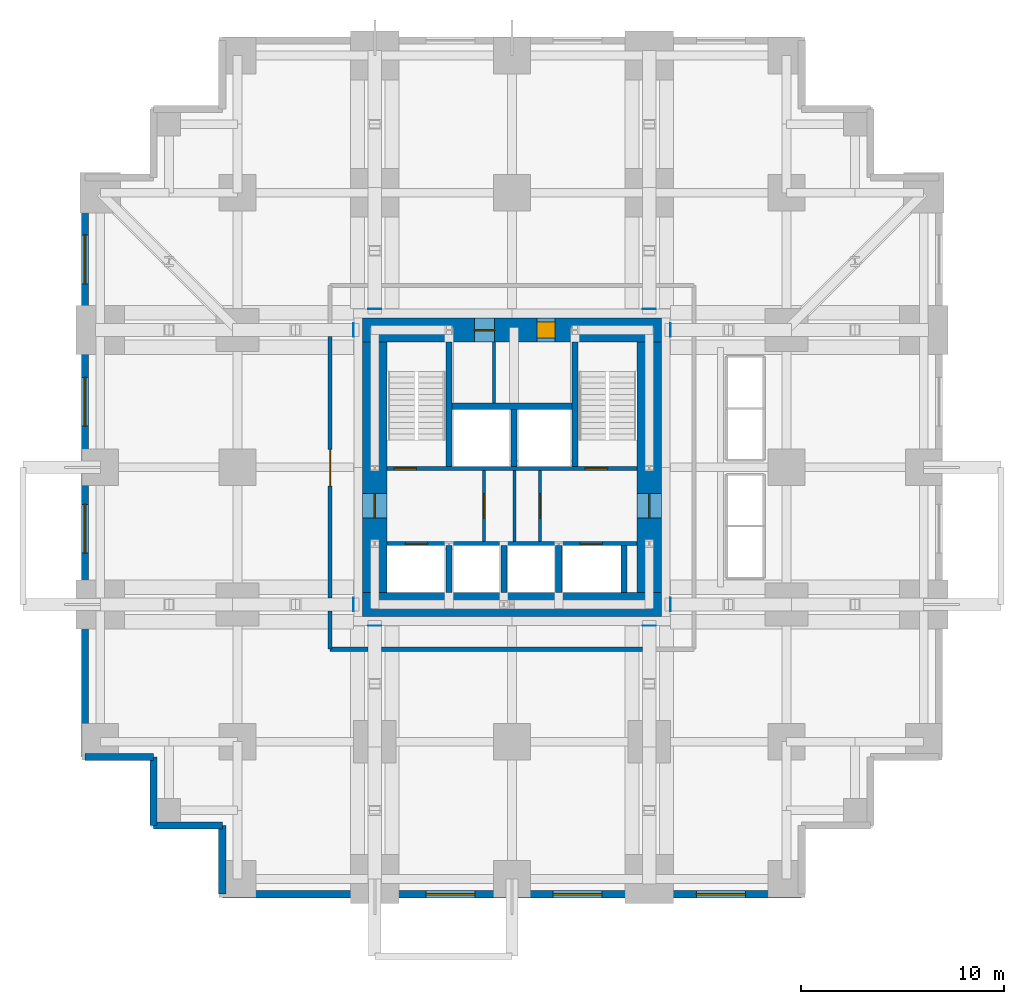
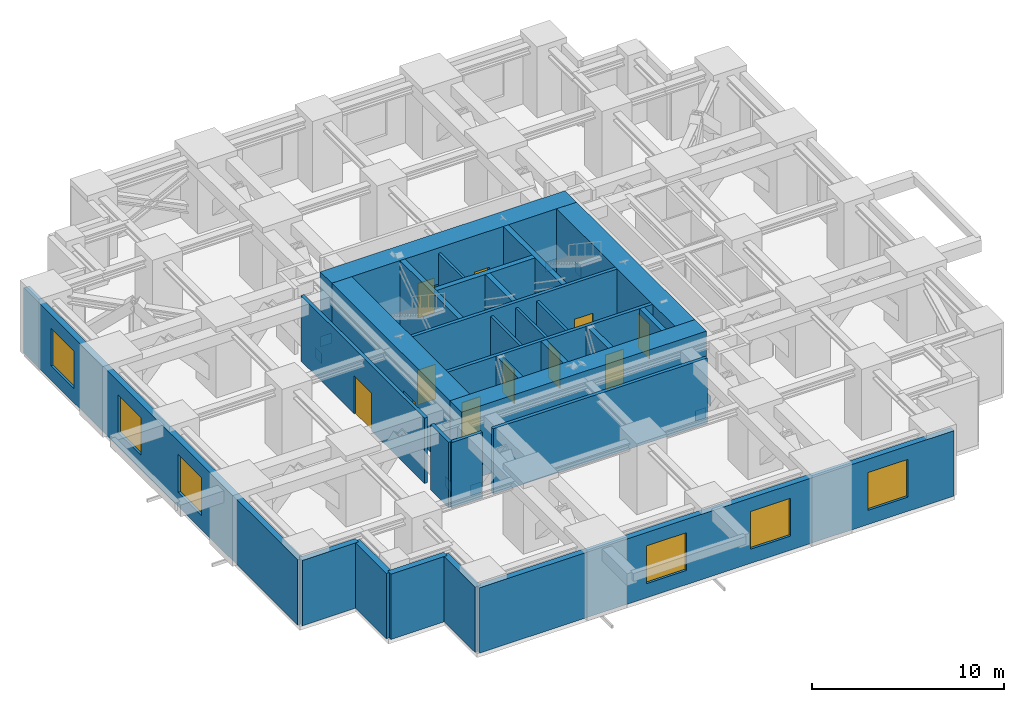
# One storey, part 4 of 6: 28 walls, 11 doors, 8 plates, 6 windows, 17 openings.
"""IFC4 building model written with IfcOpenShell, lengths in metres."""

from ifc_helpers import new_model, si_unit, direction, frame, frame_2d, origin, origin_2d, place, context, subcontext, project, spatial, rectangle, extrude, material, layer, layer_set, type_object, element, fill, save


model = new_model("IFC4")

# Units and contexts
model_context = context("Model", 3, precision=1e-05, world=origin(), true_north=direction((0.0, 1.0)))
body_context = subcontext(model_context, "Body", "Model", "MODEL_VIEW")
ifc_project = project(units=[si_unit("LENGTHUNIT", "METRE"), si_unit("AREAUNIT", "SQUARE_METRE"), si_unit("VOLUMEUNIT", "CUBIC_METRE"), si_unit("PLANEANGLEUNIT", "RADIAN"), si_unit("MASSUNIT", "GRAM", prefix="KILO")], contexts=[model_context])

# Site, building, storey
site_placement = place(None, origin())
site = spatial("IfcSite", under=ifc_project, at=site_placement, CompositionType="ELEMENT")
building_placement = place(site_placement, origin())
building = spatial("IfcBuilding", under=site, at=building_placement, Name="Nyansa Garden Tower", CompositionType="ELEMENT")
storey_placement = place(building_placement, frame((0.0, 0.0, 75.60009765625)))
storey = spatial("IfcBuildingStorey", under=building, at=storey_placement, Name="L20", CompositionType="ELEMENT", Elevation=75.60009765625)

# Plates
ifc_material_1 = material(Name="Steel S355", Category="steel")
ifc_layer_1 = layer(ifc_material_1, 0.01611328125)
ifc_layer_set_1 = layer_set([ifc_layer_1], Name="Outrigger chord end plate ECP1")
plate_type = type_object("IfcPlateType", Name="Outrigger chord end plate ECP1", PredefinedType="USERDEFINED", material=ifc_layer_set_1)
for number, where, z_axis, x_axis, name in (
    (1, (13.5, 12.4580078125, -0.625), (0.0, 0.0, 1.0), (1.0, 0.0, 0.0), "Outrigger diagonal L20 1.2b gusset end plate"),
    (2, (27.0, 12.4580078125, -0.625), (0.0, 0.0, 1.0), (1.0, 0.0, 0.0), "Outrigger diagonal L20 2.2b gusset end plate"),
    (3, (13.5, 28.0419921875, -0.625), (0.0, 0.0, 1.0), (1.0, 0.0, 0.0), "Outrigger diagonal L20 3.1a gusset end plate"),
    (4, (27.0, 28.0419921875, -0.625), (0.0, 0.0, 1.0), (1.0, 0.0, 0.0), "Outrigger diagonal L20 4.1a gusset end plate"),
):
    element("IfcPlate", number, at=place(storey_placement, frame(where, z_axis=z_axis, x_axis=x_axis)), inside=storey, type_object=plate_type, Name=name, ObjectType="END PLATE", PredefinedType="USERDEFINED", context=body_context, shape_type="SweptSolid", body=[
        extrude(rectangle(XDim=0.64990234375, YDim=0.01611328125, at=origin_2d()), origin(), (0.0, 0.0, 1.0), 0.64990234375),
    ])
for number, where, z_axis, x_axis, name in (
    (5, (12.4580078125, 13.5, -0.625), (0.0, 0.0, 1.0), (1.0, 0.0, 0.0), "Outrigger diagonal L20 5.2b gusset end plate"),
    (6, (12.4580078125, 27.0, -0.625), (0.0, 0.0, 1.0), (1.0, 0.0, 0.0), "Outrigger diagonal L20 6.2b gusset end plate"),
    (7, (28.0419921875, 13.5, -0.625), (0.0, 0.0, 1.0), (1.0, 0.0, 0.0), "Outrigger diagonal L20 7.1a gusset end plate"),
    (8, (28.0419921875, 27.0, -0.625), (0.0, 0.0, 1.0), (1.0, 0.0, 0.0), "Outrigger diagonal L20 8.1a gusset end plate"),
):
    element("IfcPlate", number, at=place(storey_placement, frame(where, z_axis=z_axis, x_axis=x_axis)), inside=storey, type_object=plate_type, Name=name, ObjectType="END PLATE", PredefinedType="USERDEFINED", context=body_context, shape_type="SweptSolid", body=[
        extrude(rectangle(XDim=0.01611328125, YDim=0.64990234375, at=origin_2d()), origin(), (0.0, 0.0, 1.0), 0.64990234375),
    ])

# Wall, openings, doors
ifc_material_2 = material(Name="Concrete C70/85", Category="concrete")
ifc_layer_2 = layer(ifc_material_2, 0.199951171875)
ifc_layer_set_2 = layer_set([ifc_layer_2], Name="Core inner wall CI200")
wall_type_1 = type_object("IfcWallType", Name="Core inner wall CI200", PredefinedType="SHEAR", material=ifc_layer_set_2)
wall_1_placement = place(storey_placement, frame((14.10009765625, 16.5, 0.0), z_axis=(0.0, 0.0, 1.0), x_axis=(1.0, 0.0, 0.0)))
wall_1 = element("IfcWall", 9, at=wall_1_placement, inside=storey, type_object=wall_type_1, Name="Core inner wall L20", PredefinedType="SHEAR", context=body_context, shape_type="SweptSolid", body=[
    extrude(rectangle(XDim=12.2998046875, YDim=0.199951171875, at=frame_2d((6.14990234375, 0.0))), origin(), (0.0, 0.0, 1.0), 4.5),
])
opening_1_placement = place(wall_1_placement, frame((0.89990234375, 0.0, 0.0)))
opening_1 = element("IfcOpeningElement", 10, at=opening_1_placement, cuts=wall_1, Name="Opening LD-F", PredefinedType="OPENING", context=body_context, shape_type="SweptSolid", body=[
    extrude(rectangle(XDim=1.10009765625, YDim=2.199951171875, at=frame_2d((0.550048828125, 1.10009765625))), frame((0.0, 0.10986328125, 0.0), z_axis=(0.0, -1.0, 0.0), x_axis=(1.0, 0.0, 0.0)), (0.0, 0.0, 1.0), 0.219970703125),
])
opening_2_placement = place(wall_1_placement, frame((9.5, 0.0, 0.0)))
opening_2 = element("IfcOpeningElement", 11, at=opening_2_placement, cuts=wall_1, Name="Opening LD-F", PredefinedType="OPENING", context=body_context, shape_type="SweptSolid", body=[
    extrude(rectangle(XDim=1.10009765625, YDim=2.199951171875, at=frame_2d((0.550048828125, 1.10009765625))), frame((0.0, 0.10986328125, 0.0), z_axis=(0.0, -1.0, 0.0), x_axis=(1.0, 0.0, 0.0)), (0.0, 0.0, 1.0), 0.219970703125),
])
ifc_material_3 = material(Name="Stainless steel centre-opening landing door of the firefighting lift, EN 81-72, E 120", Category="steel")
door_type_1 = type_object("IfcDoorType", Name="Lift landing door LD-F 1100x2200", OperationType="DOUBLE_DOOR_SLIDING", PredefinedType="DOOR", material=ifc_material_3)
door_1_placement = place(opening_1_placement, origin())
door_1 = element("IfcDoor", 12, at=door_1_placement, inside=storey, type_object=door_type_1, Name="Landing door FF1", OperationType="DOUBLE_DOOR_SLIDING", OverallHeight=2.199951171875, OverallWidth=1.10009765625, PredefinedType="DOOR", context=body_context, shape_type="SweptSolid", body=[
    extrude(rectangle(XDim=1.10009765625, YDim=2.199951171875, at=frame_2d((0.550048828125, 1.10009765625))), frame((0.0, 0.02490234375, 0.0), z_axis=(0.0, -1.0, 0.0), x_axis=(1.0, 0.0, 0.0)), (0.0, 0.0, 1.0), 0.050048828125),
])
fill(opening_1, door_1)
door_2_placement = place(opening_2_placement, origin())
door_2 = element("IfcDoor", 13, at=door_2_placement, inside=storey, type_object=door_type_1, Name="Landing door FF2", OperationType="DOUBLE_DOOR_SLIDING", OverallHeight=2.199951171875, OverallWidth=1.10009765625, PredefinedType="DOOR", context=body_context, shape_type="SweptSolid", body=[
    extrude(rectangle(XDim=1.10009765625, YDim=2.199951171875, at=frame_2d((0.550048828125, 1.10009765625))), frame((0.0, 0.02490234375, 0.0), z_axis=(0.0, -1.0, 0.0), x_axis=(1.0, 0.0, 0.0)), (0.0, 0.0, 1.0), 0.050048828125),
])
fill(opening_2, door_2)

wall_2_placement = place(storey_placement, frame((14.10009765625, 20.199951171875, 0.0), z_axis=(0.0, 0.0, 1.0), x_axis=(1.0, 0.0, 0.0)))
wall_2 = element("IfcWall", 14, at=wall_2_placement, inside=storey, type_object=wall_type_1, Name="Core inner wall L20", PredefinedType="SHEAR", context=body_context, shape_type="SweptSolid", body=[
    extrude(rectangle(XDim=12.2998046875, YDim=0.199951171875, at=frame_2d((6.14990234375, 0.0))), origin(), (0.0, 0.0, 1.0), 4.5),
])
opening_3_placement = place(wall_2_placement, frame((0.35009765625, 0.0, 0.0)))
opening_3 = element("IfcOpeningElement", 15, at=opening_3_placement, cuts=wall_2, Name="Opening D05", PredefinedType="OPENING", context=body_context, shape_type="SweptSolid", body=[
    extrude(rectangle(XDim=1.10009765625, YDim=2.199951171875, at=frame_2d((0.550048828125, 1.10009765625))), frame((0.0, 0.10986328125, 0.0), z_axis=(0.0, -1.0, 0.0), x_axis=(1.0, 0.0, 0.0)), (0.0, 0.0, 1.0), 0.219970703125),
])
opening_4_placement = place(wall_2_placement, frame((9.75, 0.0, 0.0)))
opening_4 = element("IfcOpeningElement", 16, at=opening_4_placement, cuts=wall_2, Name="Opening D05", PredefinedType="OPENING", context=body_context, shape_type="SweptSolid", body=[
    extrude(rectangle(XDim=1.10009765625, YDim=2.199951171875, at=frame_2d((0.550048828125, 1.10009765625))), frame((0.0, 0.10986328125, 0.0), z_axis=(0.0, -1.0, 0.0), x_axis=(1.0, 0.0, 0.0)), (0.0, 0.0, 1.0), 0.219970703125),
])
ifc_material_4 = material(Name="Steel door, 120 minute fire resisting", Category="steel")
door_type_2 = type_object("IfcDoorType", Name="Stair door D05 1100x2200", OperationType="SINGLE_SWING_LEFT", PredefinedType="DOOR", material=ifc_material_4)
door_3_placement = place(opening_3_placement, origin())
door_3 = element("IfcDoor", 17, at=door_3_placement, inside=storey, type_object=door_type_2, Name="Stair S1 door", OperationType="SINGLE_SWING_LEFT", OverallHeight=2.199951171875, OverallWidth=1.10009765625, PredefinedType="DOOR", context=body_context, shape_type="SweptSolid", body=[
    extrude(rectangle(XDim=1.10009765625, YDim=2.199951171875, at=frame_2d((0.550048828125, 1.10009765625))), frame((0.0, 0.02490234375, 0.0), z_axis=(0.0, -1.0, 0.0), x_axis=(1.0, 0.0, 0.0)), (0.0, 0.0, 1.0), 0.050048828125),
])
fill(opening_3, door_3)
door_4_placement = place(opening_4_placement, origin())
door_4 = element("IfcDoor", 18, at=door_4_placement, inside=storey, type_object=door_type_2, Name="Stair S2 door", OperationType="SINGLE_SWING_LEFT", OverallHeight=2.199951171875, OverallWidth=1.10009765625, PredefinedType="DOOR", context=body_context, shape_type="SweptSolid", body=[
    extrude(rectangle(XDim=1.10009765625, YDim=2.199951171875, at=frame_2d((0.550048828125, 1.10009765625))), frame((0.0, 0.02490234375, 0.0), z_axis=(0.0, -1.0, 0.0), x_axis=(1.0, 0.0, 0.0)), (0.0, 0.0, 1.0), 0.050048828125),
])
fill(opening_4, door_4)

# Walls
ifc_material_5 = material(Name="Concrete C70/85", Category="concrete")
ifc_layer_3 = layer(ifc_material_5, 0.300048828125)
ifc_layer_set_3 = layer_set([ifc_layer_3], Name="Core inner wall CI300")
wall_type_2 = type_object("IfcWallType", Name="Core inner wall CI300", PredefinedType="SHEAR", material=ifc_layer_set_3)
for number, where, z_axis, x_axis, name in (
    (19, (17.14990234375, 20.300048828125, 0.0), (0.0, 0.0, 1.0), (0.0, 1.0, 0.0), "Core inner wall L20"),
    (20, (23.35009765625, 20.300048828125, 0.0), (0.0, 0.0, 1.0), (0.0, 1.0, 0.0), "Core inner wall L20"),
):
    element("IfcWall", number, at=place(storey_placement, frame(where, z_axis=z_axis, x_axis=x_axis)), inside=storey, type_object=wall_type_2, Name=name, PredefinedType="SHEAR", context=body_context, shape_type="SweptSolid", body=[
        extrude(rectangle(XDim=6.099853515625, YDim=0.300048828125, at=frame_2d((3.0498046875, 0.0))), origin(), (0.0, 0.0, 1.0), 4.5),
    ])
wall_3_placement = place(storey_placement, frame((20.35009765625, 20.300048828125, 0.0), z_axis=(0.0, 0.0, 1.0), x_axis=(0.0, 1.0, 0.0)))
element("IfcWall", 21, at=wall_3_placement, inside=storey, type_object=wall_type_2, Name="Core inner wall L20", PredefinedType="SHEAR", context=body_context, shape_type="SweptSolid", body=[
    extrude(rectangle(XDim=2.800048828125, YDim=0.300048828125, at=frame_2d((1.39990234375, 0.0))), origin(), (0.0, 0.0, 1.0), 4.5),
])
wall_4_placement = place(storey_placement, frame((17.300048828125, 23.25, 0.0), z_axis=(0.0, 0.0, 1.0), x_axis=(1.0, 0.0, 0.0)))
element("IfcWall", 22, at=wall_4_placement, inside=storey, type_object=wall_type_2, Name="Core inner wall L20", PredefinedType="SHEAR", context=body_context, shape_type="SweptSolid", body=[
    extrude(rectangle(XDim=5.89990234375, YDim=0.300048828125, at=frame_2d((2.949951171875, 0.0))), origin(), (0.0, 0.0, 1.0), 4.5),
])
for number, where, z_axis, x_axis, name in (
    (23, (17.14990234375, 14.10009765625, 0.0), (0.0, 0.0, 1.0), (0.0, 1.0, 0.0), "Core inner wall L20"),
    (24, (19.85009765625, 14.10009765625, 0.0), (0.0, 0.0, 1.0), (0.0, 1.0, 0.0), "Core inner wall L20"),
    (25, (22.550048828125, 14.10009765625, 0.0), (0.0, 0.0, 1.0), (0.0, 1.0, 0.0), "Core inner wall L20"),
    (26, (25.75, 14.10009765625, 0.0), (0.0, 0.0, 1.0), (0.0, 1.0, 0.0), "Core inner wall L20"),
):
    element("IfcWall", number, at=place(storey_placement, frame(where, z_axis=z_axis, x_axis=x_axis)), inside=storey, type_object=wall_type_2, Name=name, PredefinedType="SHEAR", context=body_context, shape_type="SweptSolid", body=[
        extrude(rectangle(XDim=2.2998046875, YDim=0.300048828125, at=frame_2d((1.14990234375, 0.0))), origin(), (0.0, 0.0, 1.0), 4.5),
    ])
ifc_material_6 = material(Name="Concrete C80/95", Category="concrete")
ifc_layer_4 = layer(ifc_material_6, 1.199951171875)
ifc_layer_set_4 = layer_set([ifc_layer_4], Name="Core wall CW1200")
wall_type_3 = type_object("IfcWallType", Name="Core wall CW1200", PredefinedType="SHEAR", material=ifc_layer_set_4)
wall_5_placement = place(storey_placement, frame((12.89990234375, 13.5, 0.0), z_axis=(0.0, 0.0, 1.0), x_axis=(1.0, 0.0, 0.0)))
element("IfcWall", 27, at=wall_5_placement, inside=storey, type_object=wall_type_3, Name="Core wall S L20", PredefinedType="SHEAR", context=body_context, shape_type="SweptSolid", body=[
    extrude(rectangle(XDim=14.7001953125, YDim=1.199951171875, at=frame_2d((7.35009765625, 0.0))), origin(), (0.0, 0.0, 1.0), 4.5),
])

# Wall, opening, door
wall_6_placement = place(storey_placement, frame((27.0, 14.10009765625, 0.0), z_axis=(0.0, 0.0, 1.0), x_axis=(0.0, 1.0, 0.0)))
wall_6 = element("IfcWall", 28, at=wall_6_placement, inside=storey, type_object=wall_type_3, Name="Core wall E L20", PredefinedType="SHEAR", context=body_context, shape_type="SweptSolid", body=[
    extrude(rectangle(XDim=12.2998046875, YDim=1.199951171875, at=frame_2d((6.14990234375, 0.0))), origin(), (0.0, 0.0, 1.0), 4.5),
])
opening_5_placement = place(wall_6_placement, frame((3.64990234375, 0.0, 0.0)))
opening_5 = element("IfcOpeningElement", 29, at=opening_5_placement, cuts=wall_6, Name="Opening D06", PredefinedType="OPENING", context=body_context, shape_type="SweptSolid", body=[
    extrude(rectangle(XDim=1.199951171875, YDim=2.199951171875, at=frame_2d((0.60009765625, 1.10009765625))), frame((0.0, 0.60986328125, 0.0), z_axis=(0.0, -1.0, 0.0), x_axis=(1.0, 0.0, 0.0)), (0.0, 0.0, 1.0), 1.219970703125),
])
ifc_material_7 = material(Name="Steel door, 120 minute fire resisting", Category="steel")
door_type_3 = type_object("IfcDoorType", Name="Lobby door D06 1200x2200", OperationType="DOUBLE_DOOR_SINGLE_SWING", PredefinedType="DOOR", material=ifc_material_7)
door_5_placement = place(opening_5_placement, origin())
door_5 = element("IfcDoor", 30, at=door_5_placement, inside=storey, type_object=door_type_3, Name="Lift lobby door east", OperationType="DOUBLE_DOOR_SINGLE_SWING", OverallHeight=2.199951171875, OverallWidth=1.199951171875, PredefinedType="DOOR", context=body_context, shape_type="SweptSolid", body=[
    extrude(rectangle(XDim=1.199951171875, YDim=2.199951171875, at=frame_2d((0.60009765625, 1.10009765625))), frame((0.0, 0.02490234375, 0.0), z_axis=(0.0, -1.0, 0.0), x_axis=(1.0, 0.0, 0.0)), (0.0, 0.0, 1.0), 0.050048828125),
])
fill(opening_5, door_5)

# Wall, openings, doors
wall_7_placement = place(storey_placement, frame((27.60009765625, 27.0, 0.0), z_axis=(0.0, 0.0, 1.0), x_axis=(-1.0, 0.0, 0.0)))
wall_7 = element("IfcWall", 31, at=wall_7_placement, inside=storey, type_object=wall_type_3, Name="Core wall N L20", PredefinedType="SHEAR", context=body_context, shape_type="SweptSolid", body=[
    extrude(rectangle(XDim=14.7001953125, YDim=1.199951171875, at=frame_2d((7.35009765625, 0.0))), origin(), (0.0, 0.0, 1.0), 4.5),
])
opening_6_placement = place(wall_7_placement, frame((5.22509765625, 0.0, 0.0)))
opening_6 = element("IfcOpeningElement", 32, at=opening_6_placement, cuts=wall_7, Name="Opening D15", PredefinedType="OPENING", context=body_context, shape_type="SweptSolid", body=[
    extrude(rectangle(XDim=0.89990234375, YDim=2.199951171875, at=frame_2d((0.449951171875, 1.10009765625))), frame((0.0, 0.60986328125, 0.0), z_axis=(0.0, -1.0, 0.0), x_axis=(1.0, 0.0, 0.0)), (0.0, 0.0, 1.0), 1.219970703125),
])
opening_7_placement = place(wall_7_placement, frame((8.199951171875, 0.0, 0.0)))
opening_7 = element("IfcOpeningElement", 33, at=opening_7_placement, cuts=wall_7, Name="Opening D07", PredefinedType="OPENING", context=body_context, shape_type="SweptSolid", body=[
    extrude(rectangle(XDim=1.0, YDim=2.199951171875, at=frame_2d((0.5, 1.10009765625))), frame((0.0, 0.60986328125, 0.0), z_axis=(0.0, -1.0, 0.0), x_axis=(1.0, 0.0, 0.0)), (0.0, 0.0, 1.0), 1.219970703125),
])
ifc_material_8 = material(Name="Timber flush door, 60 minute fire resisting, self-closing", Category="wood")
door_type_4 = type_object("IfcDoorType", Name="Core room door D15 900x2200", OperationType="SINGLE_SWING_LEFT", PredefinedType="DOOR", material=ifc_material_8)
door_6_placement = place(opening_6_placement, origin())
door_6 = element("IfcDoor", 34, at=door_6_placement, inside=storey, type_object=door_type_4, Name="Core room door", OperationType="SINGLE_SWING_LEFT", OverallHeight=2.199951171875, OverallWidth=0.89990234375, PredefinedType="DOOR", context=body_context, shape_type="SweptSolid", body=[
    extrude(rectangle(XDim=0.89990234375, YDim=2.199951171875, at=frame_2d((0.449951171875, 1.10009765625))), frame((0.0, 0.39990234375, 0.0), z_axis=(0.0, -1.0, 0.0), x_axis=(1.0, 0.0, 0.0)), (0.0, 0.0, 1.0), 0.800048828125),
])
fill(opening_6, door_6)
ifc_material_9 = material(Name="Steel door, 120 minute fire resisting", Category="steel")
door_type_5 = type_object("IfcDoorType", Name="Riser door D07 1000x2200", OperationType="SINGLE_SWING_LEFT", PredefinedType="DOOR", material=ifc_material_9)
door_7_placement = place(opening_7_placement, origin())
door_7 = element("IfcDoor", 35, at=door_7_placement, inside=storey, type_object=door_type_5, Name="Riser and refuse room door", OperationType="SINGLE_SWING_LEFT", OverallHeight=2.199951171875, OverallWidth=1.0, PredefinedType="DOOR", context=body_context, shape_type="SweptSolid", body=[
    extrude(rectangle(XDim=1.0, YDim=2.199951171875, at=frame_2d((0.5, 1.10009765625))), frame((0.0, 0.02490234375, 0.0), z_axis=(0.0, -1.0, 0.0), x_axis=(1.0, 0.0, 0.0)), (0.0, 0.0, 1.0), 0.050048828125),
])
fill(opening_7, door_7)

# Wall, opening, door
wall_8_placement = place(storey_placement, frame((13.5, 26.39990234375, 0.0), z_axis=(0.0, 0.0, 1.0), x_axis=(0.0, -1.0, 0.0)))
wall_8 = element("IfcWall", 36, at=wall_8_placement, inside=storey, type_object=wall_type_3, Name="Core wall W L20", PredefinedType="SHEAR", context=body_context, shape_type="SweptSolid", body=[
    extrude(rectangle(XDim=12.2998046875, YDim=1.199951171875, at=frame_2d((6.14990234375, 0.0))), origin(), (0.0, 0.0, 1.0), 4.5),
])
opening_8_placement = place(wall_8_placement, frame((7.449951171875, 0.0, 0.0)))
opening_8 = element("IfcOpeningElement", 37, at=opening_8_placement, cuts=wall_8, Name="Opening D06", PredefinedType="OPENING", context=body_context, shape_type="SweptSolid", body=[
    extrude(rectangle(XDim=1.199951171875, YDim=2.199951171875, at=frame_2d((0.60009765625, 1.10009765625))), frame((0.0, 0.60986328125, 0.0), z_axis=(0.0, -1.0, 0.0), x_axis=(1.0, 0.0, 0.0)), (0.0, 0.0, 1.0), 1.219970703125),
])
door_8_placement = place(opening_8_placement, origin())
door_8 = element("IfcDoor", 38, at=door_8_placement, inside=storey, type_object=door_type_3, Name="Lift lobby door west", OperationType="DOUBLE_DOOR_SINGLE_SWING", OverallHeight=2.199951171875, OverallWidth=1.199951171875, PredefinedType="DOOR", context=body_context, shape_type="SweptSolid", body=[
    extrude(rectangle(XDim=1.199951171875, YDim=2.199951171875, at=frame_2d((0.60009765625, 1.10009765625))), frame((0.0, 0.02490234375, 0.0), z_axis=(0.0, -1.0, 0.0), x_axis=(1.0, 0.0, 0.0)), (0.0, 0.0, 1.0), 0.050048828125),
])
fill(opening_8, door_8)

# Walls
ifc_material_10 = material(Name="Concrete blockwork, plastered, 60 minute fire resisting", Category="masonry")
ifc_layer_5 = layer(ifc_material_10, 0.199951171875)
ifc_layer_set_5 = layer_set([ifc_layer_5], Name="Corridor wall FW200")
wall_type_4 = type_object("IfcWallType", Name="Corridor wall FW200", PredefinedType="PARTITIONING", material=ifc_layer_set_5)
for number, where, z_axis, x_axis, name in (
    (39, (11.300048828125, 11.300048828125, 0.0), (0.0, 0.0, 1.0), (0.0, 1.0, 0.0), "Corridor wall"),
    (40, (11.300048828125, 11.300048828125, 0.0), (0.0, 0.0, 1.0), (1.0, 0.0, 0.0), "Corridor wall"),
):
    element("IfcWall", number, at=place(storey_placement, frame(where, z_axis=z_axis, x_axis=x_axis)), inside=storey, type_object=wall_type_4, Name=name, PredefinedType="PARTITIONING", context=body_context, shape_type="SweptSolid", body=[
        extrude(rectangle(XDim=1.875, YDim=0.199951171875, at=frame_2d((0.9375, 0.0))), origin(), (0.0, 0.0, 1.0), 4.14990234375),
    ])

# Wall, opening, door
wall_9_placement = place(storey_placement, frame((11.300048828125, 13.824951171875, 0.0), z_axis=(0.0, 0.0, 1.0), x_axis=(0.0, 1.0, 0.0)))
wall_9 = element("IfcWall", 41, at=wall_9_placement, inside=storey, type_object=wall_type_4, Name="Corridor wall", PredefinedType="PARTITIONING", context=body_context, shape_type="SweptSolid", body=[
    extrude(rectangle(XDim=12.85009765625, YDim=0.199951171875, at=frame_2d((6.425048828125, 0.0))), origin(), (0.0, 0.0, 1.0), 4.14990234375),
])
opening_9_placement = place(wall_9_placement, frame((5.5, 0.0, 0.0)))
opening_9 = element("IfcOpeningElement", 42, at=opening_9_placement, cuts=wall_9, Name="Opening D09", PredefinedType="OPENING", context=body_context, shape_type="SweptSolid", body=[
    extrude(rectangle(XDim=1.800048828125, YDim=2.39990234375, at=frame_2d((0.89990234375, 1.199951171875))), frame((0.0, 0.10986328125, 0.0), z_axis=(0.0, -1.0, 0.0), x_axis=(1.0, 0.0, 0.0)), (0.0, 0.0, 1.0), 0.219970703125),
])
ifc_material_11 = material(Name="Steel door, 120 minute fire resisting", Category="steel")
door_type_6 = type_object("IfcDoorType", Name="Plant room door D09 1800x2400", OperationType="DOUBLE_DOOR_SINGLE_SWING", PredefinedType="DOOR", material=ifc_material_11)
door_9_placement = place(opening_9_placement, origin())
door_9 = element("IfcDoor", 43, at=door_9_placement, inside=storey, type_object=door_type_6, Name="Door L20-017", OperationType="DOUBLE_DOOR_SINGLE_SWING", OverallHeight=2.39990234375, OverallWidth=1.800048828125, PredefinedType="DOOR", context=body_context, shape_type="SweptSolid", body=[
    extrude(rectangle(XDim=1.800048828125, YDim=2.39990234375, at=frame_2d((0.89990234375, 1.199951171875))), frame((0.0, 0.02490234375, 0.0), z_axis=(0.0, -1.0, 0.0), x_axis=(1.0, 0.0, 0.0)), (0.0, 0.0, 1.0), 0.050048828125),
])
fill(opening_9, door_9)

# Wall
wall_10_placement = place(storey_placement, frame((13.824951171875, 11.300048828125, 0.0), z_axis=(0.0, 0.0, 1.0), x_axis=(1.0, 0.0, 0.0)))
element("IfcWall", 44, at=wall_10_placement, inside=storey, type_object=wall_type_4, Name="Corridor wall", PredefinedType="PARTITIONING", context=body_context, shape_type="SweptSolid", body=[
    extrude(rectangle(XDim=12.85009765625, YDim=0.199951171875, at=frame_2d((6.425048828125, 0.0))), origin(), (0.0, 0.0, 1.0), 4.14990234375),
])

# Wall, opening, door
ifc_material_12 = material(Name="Blockwork, plastered both sides", Category="masonry")
ifc_layer_6 = layer(ifc_material_12, 0.14990234375)
ifc_layer_set_6 = layer_set([ifc_layer_6], Name="Partition PW150")
wall_type_5 = type_object("IfcWallType", Name="Partition PW150", PredefinedType="PARTITIONING", material=ifc_layer_set_6)
wall_11_placement = place(storey_placement, frame((18.875, 16.60009765625, 0.0), z_axis=(0.0, 0.0, 1.0), x_axis=(0.0, 1.0, 0.0)))
wall_11 = element("IfcWall", 45, at=wall_11_placement, inside=storey, type_object=wall_type_5, Name="Partition", PredefinedType="PARTITIONING", context=body_context, shape_type="SweptSolid", body=[
    extrude(rectangle(XDim=3.5, YDim=0.14990234375, at=frame_2d((1.75, 0.0))), origin(), (0.0, 0.0, 1.0), 4.14990234375),
])
opening_10_placement = place(wall_11_placement, frame((1.14990234375, 0.0, 0.0)))
opening_10 = element("IfcOpeningElement", 46, at=opening_10_placement, cuts=wall_11, Name="Opening D06", PredefinedType="OPENING", context=body_context, shape_type="SweptSolid", body=[
    extrude(rectangle(XDim=1.199951171875, YDim=2.199951171875, at=frame_2d((0.60009765625, 1.10009765625))), frame((0.0, 0.0849609375, 0.0), z_axis=(0.0, -1.0, 0.0), x_axis=(1.0, 0.0, 0.0)), (0.0, 0.0, 1.0), 0.169921875),
])
door_10_placement = place(opening_10_placement, origin())
door_10 = element("IfcDoor", 47, at=door_10_placement, inside=storey, type_object=door_type_3, Name="Passenger lift lobby door", OperationType="DOUBLE_DOOR_SINGLE_SWING", OverallHeight=2.199951171875, OverallWidth=1.199951171875, PredefinedType="DOOR", context=body_context, shape_type="SweptSolid", body=[
    extrude(rectangle(XDim=1.199951171875, YDim=2.199951171875, at=frame_2d((0.60009765625, 1.10009765625))), frame((0.0, 0.02490234375, 0.0), z_axis=(0.0, -1.0, 0.0), x_axis=(1.0, 0.0, 0.0)), (0.0, 0.0, 1.0), 0.050048828125),
])
fill(opening_10, door_10)

wall_12_placement = place(storey_placement, frame((21.625, 16.60009765625, 0.0), z_axis=(0.0, 0.0, 1.0), x_axis=(0.0, 1.0, 0.0)))
wall_12 = element("IfcWall", 48, at=wall_12_placement, inside=storey, type_object=wall_type_5, Name="Partition", PredefinedType="PARTITIONING", context=body_context, shape_type="SweptSolid", body=[
    extrude(rectangle(XDim=3.5, YDim=0.14990234375, at=frame_2d((1.75, 0.0))), origin(), (0.0, 0.0, 1.0), 4.14990234375),
])
opening_11_placement = place(wall_12_placement, frame((1.14990234375, 0.0, 0.0)))
opening_11 = element("IfcOpeningElement", 49, at=opening_11_placement, cuts=wall_12, Name="Opening D06", PredefinedType="OPENING", context=body_context, shape_type="SweptSolid", body=[
    extrude(rectangle(XDim=1.199951171875, YDim=2.199951171875, at=frame_2d((0.60009765625, 1.10009765625))), frame((0.0, 0.0849609375, 0.0), z_axis=(0.0, -1.0, 0.0), x_axis=(1.0, 0.0, 0.0)), (0.0, 0.0, 1.0), 0.169921875),
])
door_11_placement = place(opening_11_placement, origin())
door_11 = element("IfcDoor", 50, at=door_11_placement, inside=storey, type_object=door_type_3, Name="Passenger lift lobby door", OperationType="DOUBLE_DOOR_SINGLE_SWING", OverallHeight=2.199951171875, OverallWidth=1.199951171875, PredefinedType="DOOR", context=body_context, shape_type="SweptSolid", body=[
    extrude(rectangle(XDim=1.199951171875, YDim=2.199951171875, at=frame_2d((0.60009765625, 1.10009765625))), frame((0.0, 0.02490234375, 0.0), z_axis=(0.0, -1.0, 0.0), x_axis=(1.0, 0.0, 0.0)), (0.0, 0.0, 1.0), 0.050048828125),
])
fill(opening_11, door_11)

# Walls
wall_13_placement = place(storey_placement, frame((20.3798828125, 16.60009765625, 0.0), z_axis=(0.0, 0.0, 1.0), x_axis=(0.0, 1.0, 0.0)))
element("IfcWall", 51, at=wall_13_placement, inside=storey, type_object=wall_type_5, Name="Partition", PredefinedType="PARTITIONING", context=body_context, shape_type="SweptSolid", body=[
    extrude(rectangle(XDim=3.5, YDim=0.14990234375, at=frame_2d((1.75, 0.0))), origin(), (0.0, 0.0, 1.0), 4.14990234375),
])
wall_14_placement = place(storey_placement, frame((19.375, 23.39990234375, 0.0), z_axis=(0.0, 0.0, 1.0), x_axis=(0.0, 1.0, 0.0)))
element("IfcWall", 52, at=wall_14_placement, inside=storey, type_object=wall_type_5, Name="Partition", PredefinedType="PARTITIONING", context=body_context, shape_type="SweptSolid", body=[
    extrude(rectangle(XDim=3.0, YDim=0.14990234375, at=frame_2d((1.5, 0.0))), origin(), (0.0, 0.0, 1.0), 4.14990234375),
])

# Wall, openings, windows
ifc_material_13 = material(Name="Turquoise and ultramarine glazed tile on concrete blockwork", Category="masonry")
ifc_layer_7 = layer(ifc_material_13, 0.35009765625)
ifc_layer_set_7 = layer_set([ifc_layer_7], Name="Tiled plant wall PW350")
wall_type_6 = type_object("IfcWallType", Name="Tiled plant wall PW350", PredefinedType="SOLIDWALL", material=ifc_layer_set_7)
wall_15_placement = place(storey_placement, frame((-0.75, 34.5, 0.0), z_axis=(0.0, 0.0, 1.0), x_axis=(0.0, -1.0, 0.0)))
wall_15 = element("IfcWall", 53, at=wall_15_placement, inside=storey, type_object=wall_type_6, Name="Tiled plant wall L20", PredefinedType="SOLIDWALL", context=body_context, shape_type="SweptSolid", body=[
    extrude(rectangle(XDim=28.5, YDim=0.35009765625, at=frame_2d((14.25, 0.0))), origin(), (0.0, 0.0, 1.0), 4.14990234375),
])
opening_12_placement = place(wall_15_placement, frame((2.824951171875, 0.0, 0.89990234375)))
opening_12 = element("IfcOpeningElement", 54, at=opening_12_placement, cuts=wall_15, Name="Opening W3", PredefinedType="OPENING", context=body_context, shape_type="SweptSolid", body=[
    extrude(rectangle(XDim=2.39990234375, YDim=2.39990234375, at=frame_2d((1.199951171875, 1.199951171875))), frame((0.0, 0.18505859375, 0.0), z_axis=(0.0, -1.0, 0.0), x_axis=(1.0, 0.0, 0.0)), (0.0, 0.0, 1.0), 0.3701171875),
])
opening_13_placement = place(wall_15_placement, frame((9.824951171875, 0.0, 0.89990234375)))
opening_13 = element("IfcOpeningElement", 55, at=opening_13_placement, cuts=wall_15, Name="Opening W3", PredefinedType="OPENING", context=body_context, shape_type="SweptSolid", body=[
    extrude(rectangle(XDim=2.39990234375, YDim=2.39990234375, at=frame_2d((1.199951171875, 1.199951171875))), frame((0.0, 0.18505859375, 0.0), z_axis=(0.0, -1.0, 0.0), x_axis=(1.0, 0.0, 0.0)), (0.0, 0.0, 1.0), 0.3701171875),
])
opening_14_placement = place(wall_15_placement, frame((16.074951171875, 0.0, 0.89990234375)))
opening_14 = element("IfcOpeningElement", 56, at=opening_14_placement, cuts=wall_15, Name="Opening W3", PredefinedType="OPENING", context=body_context, shape_type="SweptSolid", body=[
    extrude(rectangle(XDim=2.39990234375, YDim=2.39990234375, at=frame_2d((1.199951171875, 1.199951171875))), frame((0.0, 0.18505859375, 0.0), z_axis=(0.0, -1.0, 0.0), x_axis=(1.0, 0.0, 0.0)), (0.0, 0.0, 1.0), 0.3701171875),
])
ifc_material_14 = material(Name="Black aluminium weather louvre", Category="aluminium")
window_type = type_object("IfcWindowType", Name="Louvre W3 2400x2400", PartitioningType="SINGLE_PANEL", PredefinedType="WINDOW", material=ifc_material_14)
window_1_placement = place(opening_12_placement, origin())
window_1 = element("IfcWindow", 57, at=window_1_placement, inside=storey, type_object=window_type, Name="Louvre L20", OverallHeight=2.39990234375, OverallWidth=2.39990234375, PartitioningType="SINGLE_PANEL", PredefinedType="WINDOW", context=body_context, shape_type="SweptSolid", body=[
    extrude(rectangle(XDim=2.39990234375, YDim=2.39990234375, at=frame_2d((1.199951171875, 1.199951171875))), frame((0.0, 0.030029296875, 0.0), z_axis=(0.0, -1.0, 0.0), x_axis=(1.0, 0.0, 0.0)), (0.0, 0.0, 1.0), 0.06005859375),
])
fill(opening_12, window_1)
window_2_placement = place(opening_13_placement, origin())
window_2 = element("IfcWindow", 58, at=window_2_placement, inside=storey, type_object=window_type, Name="Louvre L20", OverallHeight=2.39990234375, OverallWidth=2.39990234375, PartitioningType="SINGLE_PANEL", PredefinedType="WINDOW", context=body_context, shape_type="SweptSolid", body=[
    extrude(rectangle(XDim=2.39990234375, YDim=2.39990234375, at=frame_2d((1.199951171875, 1.199951171875))), frame((0.0, 0.030029296875, 0.0), z_axis=(0.0, -1.0, 0.0), x_axis=(1.0, 0.0, 0.0)), (0.0, 0.0, 1.0), 0.06005859375),
])
fill(opening_13, window_2)
window_3_placement = place(opening_14_placement, origin())
window_3 = element("IfcWindow", 59, at=window_3_placement, inside=storey, type_object=window_type, Name="Louvre L20", OverallHeight=2.39990234375, OverallWidth=2.39990234375, PartitioningType="SINGLE_PANEL", PredefinedType="WINDOW", context=body_context, shape_type="SweptSolid", body=[
    extrude(rectangle(XDim=2.39990234375, YDim=2.39990234375, at=frame_2d((1.199951171875, 1.199951171875))), frame((0.0, 0.030029296875, 0.0), z_axis=(0.0, -1.0, 0.0), x_axis=(1.0, 0.0, 0.0)), (0.0, 0.0, 1.0), 0.06005859375),
])
fill(opening_14, window_3)

# Walls
for number, where, z_axis, x_axis, name in (
    (60, (-0.75, 6.0, 0.0), (0.0, 0.0, 1.0), (1.0, 0.0, 0.0), "Tiled plant wall L20"),
    (61, (2.625, 6.0, 0.0), (0.0, 0.0, 1.0), (0.0, -1.0, 0.0), "Tiled plant wall L20"),
    (62, (2.625, 2.625, 0.0), (0.0, 0.0, 1.0), (1.0, 0.0, 0.0), "Tiled plant wall L20"),
    (63, (6.0, 2.625, 0.0), (0.0, 0.0, 1.0), (0.0, -1.0, 0.0), "Tiled plant wall L20"),
):
    element("IfcWall", number, at=place(storey_placement, frame(where, z_axis=z_axis, x_axis=x_axis)), inside=storey, type_object=wall_type_6, Name=name, PredefinedType="SOLIDWALL", context=body_context, shape_type="SweptSolid", body=[
        extrude(rectangle(XDim=3.375, YDim=0.35009765625, at=frame_2d((1.6875, 0.0))), origin(), (0.0, 0.0, 1.0), 4.14990234375),
    ])

# Wall, openings, windows
wall_16_placement = place(storey_placement, frame((6.0, -0.75, 0.0), z_axis=(0.0, 0.0, 1.0), x_axis=(1.0, 0.0, 0.0)))
wall_16 = element("IfcWall", 64, at=wall_16_placement, inside=storey, type_object=wall_type_6, Name="Tiled plant wall L20", PredefinedType="SOLIDWALL", context=body_context, shape_type="SweptSolid", body=[
    extrude(rectangle(XDim=28.5, YDim=0.35009765625, at=frame_2d((14.25, 0.0))), origin(), (0.0, 0.0, 1.0), 4.14990234375),
])
opening_15_placement = place(wall_16_placement, frame((10.02490234375, 0.0, 0.89990234375)))
opening_15 = element("IfcOpeningElement", 65, at=opening_15_placement, cuts=wall_16, Name="Opening W3", PredefinedType="OPENING", context=body_context, shape_type="SweptSolid", body=[
    extrude(rectangle(XDim=2.39990234375, YDim=2.39990234375, at=frame_2d((1.199951171875, 1.199951171875))), frame((0.0, 0.18505859375, 0.0), z_axis=(0.0, -1.0, 0.0), x_axis=(1.0, 0.0, 0.0)), (0.0, 0.0, 1.0), 0.3701171875),
])
opening_16_placement = place(wall_16_placement, frame((16.27490234375, 0.0, 0.89990234375)))
opening_16 = element("IfcOpeningElement", 66, at=opening_16_placement, cuts=wall_16, Name="Opening W3", PredefinedType="OPENING", context=body_context, shape_type="SweptSolid", body=[
    extrude(rectangle(XDim=2.39990234375, YDim=2.39990234375, at=frame_2d((1.199951171875, 1.199951171875))), frame((0.0, 0.18505859375, 0.0), z_axis=(0.0, -1.0, 0.0), x_axis=(1.0, 0.0, 0.0)), (0.0, 0.0, 1.0), 0.3701171875),
])
opening_17_placement = place(wall_16_placement, frame((23.324951171875, 0.0, 0.89990234375)))
opening_17 = element("IfcOpeningElement", 67, at=opening_17_placement, cuts=wall_16, Name="Opening W3", PredefinedType="OPENING", context=body_context, shape_type="SweptSolid", body=[
    extrude(rectangle(XDim=2.39990234375, YDim=2.39990234375, at=frame_2d((1.199951171875, 1.199951171875))), frame((0.0, 0.18505859375, 0.0), z_axis=(0.0, -1.0, 0.0), x_axis=(1.0, 0.0, 0.0)), (0.0, 0.0, 1.0), 0.3701171875),
])
window_4_placement = place(opening_15_placement, origin())
window_4 = element("IfcWindow", 68, at=window_4_placement, inside=storey, type_object=window_type, Name="Louvre L20", OverallHeight=2.39990234375, OverallWidth=2.39990234375, PartitioningType="SINGLE_PANEL", PredefinedType="WINDOW", context=body_context, shape_type="SweptSolid", body=[
    extrude(rectangle(XDim=2.39990234375, YDim=2.39990234375, at=frame_2d((1.199951171875, 1.199951171875))), frame((0.0, 0.030029296875, 0.0), z_axis=(0.0, -1.0, 0.0), x_axis=(1.0, 0.0, 0.0)), (0.0, 0.0, 1.0), 0.06005859375),
])
fill(opening_15, window_4)
window_5_placement = place(opening_16_placement, origin())
window_5 = element("IfcWindow", 69, at=window_5_placement, inside=storey, type_object=window_type, Name="Louvre L20", OverallHeight=2.39990234375, OverallWidth=2.39990234375, PartitioningType="SINGLE_PANEL", PredefinedType="WINDOW", context=body_context, shape_type="SweptSolid", body=[
    extrude(rectangle(XDim=2.39990234375, YDim=2.39990234375, at=frame_2d((1.199951171875, 1.199951171875))), frame((0.0, 0.030029296875, 0.0), z_axis=(0.0, -1.0, 0.0), x_axis=(1.0, 0.0, 0.0)), (0.0, 0.0, 1.0), 0.06005859375),
])
fill(opening_16, window_5)
window_6_placement = place(opening_17_placement, origin())
window_6 = element("IfcWindow", 70, at=window_6_placement, inside=storey, type_object=window_type, Name="Louvre L20", OverallHeight=2.39990234375, OverallWidth=2.39990234375, PartitioningType="SINGLE_PANEL", PredefinedType="WINDOW", context=body_context, shape_type="SweptSolid", body=[
    extrude(rectangle(XDim=2.39990234375, YDim=2.39990234375, at=frame_2d((1.199951171875, 1.199951171875))), frame((0.0, 0.030029296875, 0.0), z_axis=(0.0, -1.0, 0.0), x_axis=(1.0, 0.0, 0.0)), (0.0, 0.0, 1.0), 0.06005859375),
])
fill(opening_17, window_6)

save(model, "model.ifc")
